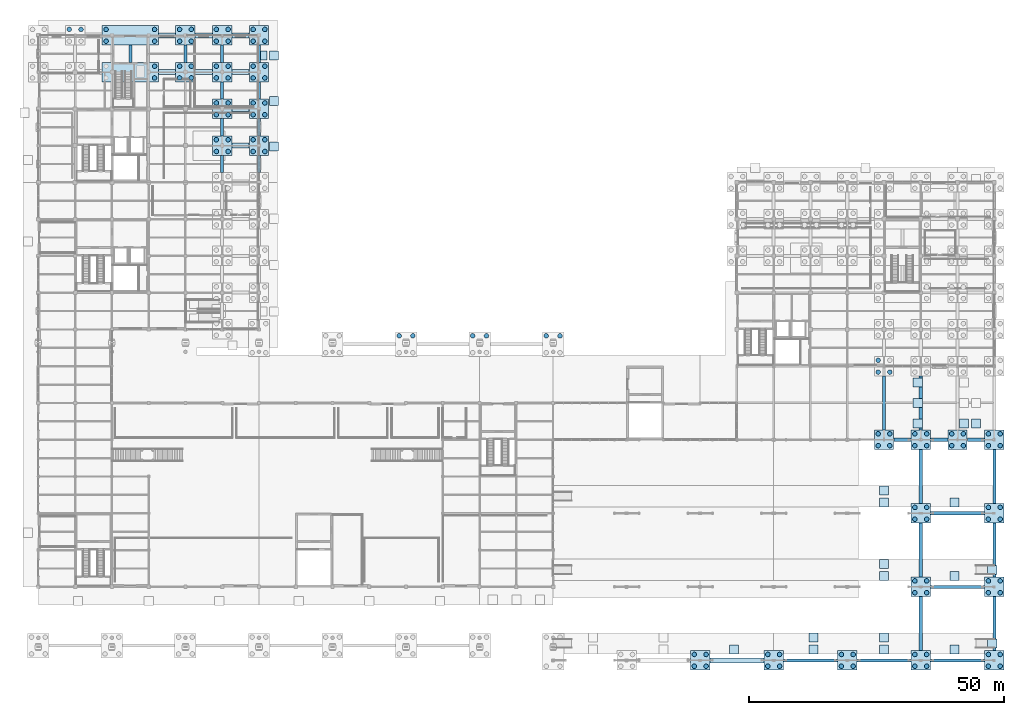
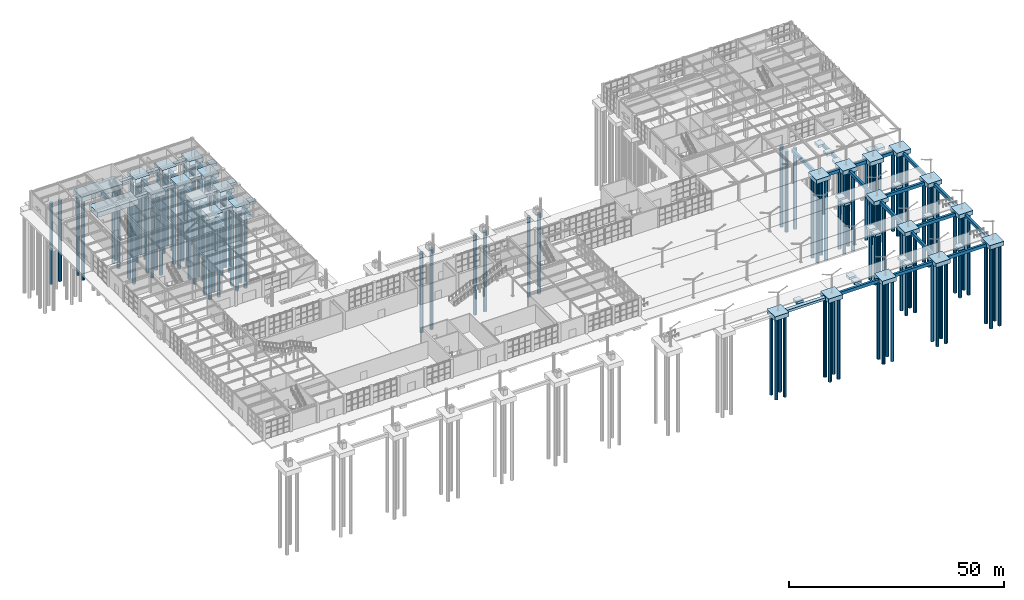
# One storey, part 2 of 75: 109 piles, 83 footings.
"""IFC4 building model written with IfcOpenShell, lengths in metres."""

import ifcopenshell
import ifcopenshell.guid

model = None  # the IFC model being written
_history = None  # IfcOwnerHistory: only IFC2X3 demands one
_inside = {}  # id of a spatial element -> (the spatial element, [elements in it])
_under = {}  # id of a project, library or spatial element -> (it, [spatial elements below it])
_declared = {}  # id of a project -> (the project, [libraries it declares])
_typed = {}  # id of a type object -> (the type object, [elements of that type])
_made_of = {}  # id of a material, layer set ... -> (it, [elements and type objects made of it])


def new_model(schema):
    """Start an empty IFC model of exactly this schema.

    Asked for "IFC4X3", IfcOpenShell would pick the latest addendum, in which some entities
    have other attributes; the version numbers below select the first issue.
    IFC2X3 requires an IfcOwnerHistory on every rooted entity: one is made here for all.
    """
    global model, _history
    if schema == "IFC4X3":
        model = ifcopenshell.file(schema_version=(4, 3, 0, 0))
    else:
        model = ifcopenshell.file(schema=schema)
    _inside.clear()
    _under.clear()
    _declared.clear()
    _typed.clear()
    _made_of.clear()
    _history = None
    if model.schema == "IFC2X3":
        org = make("IfcOrganization", Name="unknown")
        user = make(
            "IfcPersonAndOrganization",
            ThePerson=make("IfcPerson", FamilyName="unknown"),
            TheOrganization=org,
        )
        app = make(
            "IfcApplication",
            ApplicationDeveloper=org,
            Version="unknown",
            ApplicationFullName="unknown",
            ApplicationIdentifier="unknown",
        )
        _history = make(
            "IfcOwnerHistory",
            OwningUser=user,
            OwningApplication=app,
            ChangeAction="ADDED",
            CreationDate=0,
        )
    return model


def make(cls, **values):
    """One entity of the class cls with the attributes given. An attribute that is None is left unset."""
    return model.create_entity(
        cls, **{name: value for name, value in values.items() if value is not None}
    )


def rooted(cls, **values):
    """An entity with a GlobalId (a new one), such as an element, a storey or a relation."""
    return make(cls, GlobalId=ifcopenshell.guid.new(), OwnerHistory=_history, **values)


def si_unit(unit_type, name, prefix=None):
    """IfcSIUnit, for example si_unit("LENGTHUNIT", "METRE", prefix="MILLI")."""
    return make("IfcSIUnit", UnitType=unit_type, Prefix=prefix, Name=name)


def assignment(units):
    """IfcUnitAssignment: the units of a project."""
    return None if units is None else make("IfcUnitAssignment", Units=units)


def point(xyz):
    """IfcCartesianPoint."""
    return None if xyz is None else make("IfcCartesianPoint", Coordinates=xyz)


def direction(xyz):
    """IfcDirection."""
    return None if xyz is None else make("IfcDirection", DirectionRatios=xyz)


def frame(location, z_axis=None, x_axis=None):
    """IfcAxis2Placement3D, a coordinate frame: its origin and axes. An axis left out is left unset."""
    return make(
        "IfcAxis2Placement3D",
        Location=point(location),
        Axis=direction(z_axis),
        RefDirection=direction(x_axis),
    )


def frame_2d(location, x_axis=None):
    """IfcAxis2Placement2D, a coordinate frame in the plane: its origin and x axis."""
    return make(
        "IfcAxis2Placement2D", Location=point(location), RefDirection=direction(x_axis)
    )


def origin():
    """The frame at (0, 0, 0) with its axes left unset."""
    return frame((0.0, 0.0, 0.0))


def origin_2d():
    """The frame at (0, 0) in the plane with its x axis left unset."""
    return frame_2d((0.0, 0.0))


def place(relative_to, where):
    """IfcLocalPlacement: puts the frame where relative to a parent placement (None: the world)."""
    return make(
        "IfcLocalPlacement", PlacementRelTo=relative_to, RelativePlacement=where
    )


def context(
    kind, dimensions, precision=None, world=None, true_north=None, identifier=None
):
    """IfcGeometricRepresentationContext, for example the 3D "Model" context."""
    return make(
        "IfcGeometricRepresentationContext",
        ContextIdentifier=identifier,
        ContextType=kind,
        CoordinateSpaceDimension=dimensions,
        Precision=precision,
        WorldCoordinateSystem=world,
        TrueNorth=true_north,
    )


def subcontext(parent, identifier, kind, view, scale=None):
    """IfcGeometricRepresentationSubContext, for example "Body" below "Model"."""
    return make(
        "IfcGeometricRepresentationSubContext",
        ContextIdentifier=identifier,
        ContextType=kind,
        ParentContext=parent,
        TargetScale=scale,
        TargetView=view,
    )


def project(units=None, contexts=None):
    """IfcProject with its units and contexts."""
    return rooted(
        "IfcProject",
        Name="project",
        RepresentationContexts=contexts,
        UnitsInContext=assignment(units),
    )


def spatial(cls, under=None, at=None, **own):
    """A site, building, storey or space (cls), placed at a placement, below another one or the project."""
    s = rooted(cls, ObjectPlacement=at, **own)
    if under is not None:
        _under.setdefault(under.id(), (under, []))[1].append(s)
    return s


def profile(cls, at=None, kind="AREA", **sizes):
    """A parametric profile (cls). Its sizes go by their IFC names, for example OverallWidth=200.0."""
    return make(cls, ProfileType=kind, Position=at, **sizes)


def rectangle(**sizes):
    """IfcRectangleProfileDef."""
    return profile("IfcRectangleProfileDef", **sizes)


def circle(**sizes):
    """IfcCircleProfileDef."""
    return profile("IfcCircleProfileDef", **sizes)


def extrude(swept, where, along, depth):
    """IfcExtrudedAreaSolid: the profile swept, set in the frame where, extruded along a direction by depth."""
    return make(
        "IfcExtrudedAreaSolid",
        SweptArea=swept,
        Position=where,
        ExtrudedDirection=direction(along),
        Depth=depth,
    )


def shape(context_of_items, identifier, shape_type, items):
    """IfcShapeRepresentation: the items that make up one representation, for example the "Body"."""
    return make(
        "IfcShapeRepresentation",
        ContextOfItems=context_of_items,
        RepresentationIdentifier=identifier,
        RepresentationType=shape_type,
        Items=items,
    )


def material(Name=None, Category=None):
    """IfcMaterial."""
    return make("IfcMaterial", Name=Name, Category=Category)


def material_profile(
    of_material, cross_section, Name=None, Category=None, Priority=None
):
    """IfcMaterialProfile: a cross section and its material."""
    return make(
        "IfcMaterialProfile",
        Name=Name,
        Material=of_material,
        Profile=cross_section,
        Priority=Priority,
        Category=Category,
    )


def profile_set(profiles, Name=None, composite=None):
    """IfcMaterialProfileSet."""
    return make(
        "IfcMaterialProfileSet",
        Name=Name,
        MaterialProfiles=profiles,
        CompositeProfile=composite,
    )


def made_of(thing, what):
    """Note that an element or type object is made of a material, layer set ...; save() writes the relation."""
    if what is not None:
        _made_of.setdefault(what.id(), (what, []))[1].append(thing)
    return thing


def type_object(cls, material=None, **own):
    """A type object (cls), such as IfcWallType, which elements share."""
    return made_of(rooted(cls, **own), material)


def element(
    cls,
    number,
    at=None,
    inside=None,
    cuts=None,
    type_object=None,
    material=None,
    context=None,
    identifier="Body",
    shape_type=None,
    held_by="IfcProductDefinitionShape",
    body=None,
    shapes=None,
    **own,
):
    """One element of the class cls, such as IfcWall. Its Tag is "e" and its number.

    at: its placement. inside: the storey or other place that contains it. cuts: it is an
    opening in that element (IfcRelVoidsElement). A single representation is given by context,
    identifier, shape_type and body (its items); several are given by shapes. held_by: the class
    of the entity that holds the representations. save() writes the other relations.
    """
    e = rooted(cls, Tag="e%d" % number, ObjectPlacement=at, **own)
    if body is not None:
        shapes = [shape(context, identifier, shape_type, body)]
    if shapes is not None:
        e.Representation = make(held_by, Representations=shapes)
    if inside is not None:
        _inside.setdefault(inside.id(), (inside, []))[1].append(e)
    if cuts is not None:
        rooted(
            "IfcRelVoidsElement", RelatingBuildingElement=cuts, RelatedOpeningElement=e
        )
    if type_object is not None:
        _typed.setdefault(type_object.id(), (type_object, []))[1].append(e)
    return made_of(e, material)


def aggregate(whole, parts):
    """IfcRelAggregates: a whole, such as a stair, and the parts it consists of."""
    return rooted("IfcRelAggregates", RelatingObject=whole, RelatedObjects=parts)


def save(model, path):
    """Write the relations noted so far, then the file.

    IfcRelAggregates (storeys below a building ...), IfcRelContainedInSpatialStructure (elements
    in a storey), IfcRelDefinesByType, IfcRelAssociatesMaterial and IfcRelDeclares: one each for
    every whole, place, type object, material and project.
    """
    for whole, parts in _under.values():
        aggregate(whole, parts)
    for where, things in _inside.values():
        rooted(
            "IfcRelContainedInSpatialStructure",
            RelatedElements=things,
            RelatingStructure=where,
        )
    for kind, things in _typed.values():
        rooted("IfcRelDefinesByType", RelatedObjects=things, RelatingType=kind)
    for what, things in _made_of.values():
        rooted("IfcRelAssociatesMaterial", RelatedObjects=things, RelatingMaterial=what)
    for by, libraries in _declared.values():
        rooted("IfcRelDeclares", RelatingContext=by, RelatedDefinitions=libraries)
    model.write(path)


model = new_model("IFC4")

# Units and contexts
model_context = context("Model", 3, precision=1e-05, world=origin(), true_north=direction((0.0, 1.0)))
body_context = subcontext(model_context, "Body", "Model", "MODEL_VIEW")
ifc_project = project(units=[si_unit("LENGTHUNIT", "METRE"), si_unit("AREAUNIT", "SQUARE_METRE"), si_unit("VOLUMEUNIT", "CUBIC_METRE"), si_unit("PLANEANGLEUNIT", "RADIAN"), si_unit("MASSUNIT", "GRAM", prefix="KILO")], contexts=[model_context])

# Site, building, storey
site_placement = place(None, origin())
site = spatial("IfcSite", under=ifc_project, at=site_placement, CompositionType="ELEMENT")
building_placement = place(site_placement, origin())
building = spatial("IfcBuilding", under=site, at=building_placement, Name="Leyfeld Transit Interchange", CompositionType="ELEMENT")
storey_placement = place(building_placement, origin())
storey = spatial("IfcBuildingStorey", under=building, at=storey_placement, Name="L00", CompositionType="ELEMENT", Elevation=0.0)

# Footings
ifc_material = material(Name="Concrete C35/45", Category="concrete")
footing_type_1 = type_object("IfcFootingType", Name="FT-GB-500x800", PredefinedType="FOOTING_BEAM", material=ifc_material)
footing_1_placement = place(storey_placement, frame((151.199951171875, 0.0, -1.300048828125), z_axis=(0.0, 0.0, 1.0), x_axis=(1.0, 0.0, 0.0)))
element("IfcFooting", 1, at=footing_1_placement, inside=storey, type_object=footing_type_1, Name="Ground Beam 053", PredefinedType="FOOTING_BEAM", context=body_context, shape_type="SweptSolid", body=[
    extrude(rectangle(XDim=10.580078125, YDim=0.60009765625, at=origin_2d()), origin(), (0.0, 0.0, 1.0), 0.89990234375),
])
footing_2_placement = place(storey_placement, frame((169.199951171875, 43.199951171875, -1.300048828125), z_axis=(0.0, 0.0, 1.0), x_axis=(1.0, 0.0, 0.0)))
element("IfcFooting", 2, at=footing_2_placement, inside=storey, type_object=footing_type_1, Name="Ground Beam 071", PredefinedType="FOOTING_BEAM", context=body_context, shape_type="SweptSolid", body=[
    extrude(rectangle(XDim=3.3798828125, YDim=0.60009765625, at=origin_2d()), origin(), (0.0, 0.0, 1.0), 0.89990234375),
])
footing_type_2 = type_object("IfcFootingType", Name="FT-GB-600x900", PredefinedType="FOOTING_BEAM", material=ifc_material)
for number, where, z_axis, x_axis, name in (
    (3, (18.0, 118.800048828125, -1.300048828125), (0.0, 0.0, 1.0), (1.0, 0.0, 0.0), "Ground Beam 009"),
    (4, (28.800048828125, 118.800048828125, -1.300048828125), (0.0, 0.0, 1.0), (1.0, 0.0, 0.0), "Ground Beam 013"),
    (5, (36.0, 97.199951171875, -1.300048828125), (0.0, 0.0, 1.0), (1.0, 0.0, 0.0), "Ground Beam 023"),
    (6, (36.0, 104.39990234375, -1.300048828125), (0.0, 0.0, 1.0), (1.0, 0.0, 0.0), "Ground Beam 025"),
    (7, (36.0, 111.60009765625, -1.300048828125), (0.0, 0.0, 1.0), (1.0, 0.0, 0.0), "Ground Beam 027"),
    (8, (36.0, 118.800048828125, -1.300048828125), (0.0, 0.0, 1.0), (1.0, 0.0, 0.0), "Ground Beam 029"),
    (9, (43.199951171875, 97.199951171875, -1.300048828125), (0.0, 0.0, 1.0), (1.0, 0.0, 0.0), "Ground Beam 037"),
    (10, (43.199951171875, 104.39990234375, -1.300048828125), (0.0, 0.0, 1.0), (1.0, 0.0, 0.0), "Ground Beam 038"),
    (11, (43.199951171875, 111.60009765625, -1.300048828125), (0.0, 0.0, 1.0), (1.0, 0.0, 0.0), "Ground Beam 039"),
    (12, (43.199951171875, 118.800048828125, -1.300048828125), (0.0, 0.0, 1.0), (1.0, 0.0, 0.0), "Ground Beam 040"),
):
    element("IfcFooting", number, at=place(storey_placement, frame(where, z_axis=z_axis, x_axis=x_axis)), inside=storey, type_object=footing_type_2, Name=name, PredefinedType="FOOTING_BEAM", context=body_context, shape_type="SweptSolid", body=[
        extrude(rectangle(XDim=0.60009765625, YDim=3.3798828125, at=origin_2d()), origin(), (0.0, 0.0, 1.0), 0.89990234375),
    ])
footing_3_placement = place(storey_placement, frame((165.60009765625, 0.0, -1.300048828125), z_axis=(0.0, 0.0, 1.0), x_axis=(1.0, 0.0, 0.0)))
element("IfcFooting", 13, at=footing_3_placement, inside=storey, type_object=footing_type_2, Name="Ground Beam 064", PredefinedType="FOOTING_BEAM", context=body_context, shape_type="SweptSolid", body=[
    extrude(rectangle(XDim=10.580078125, YDim=0.60009765625, at=origin_2d()), origin(), (0.0, 0.0, 1.0), 0.89990234375),
])
for number, where, z_axis, x_axis, name in (
    (14, (165.60009765625, 50.39990234375, -1.300048828125), (0.0, 0.0, 1.0), (1.0, 0.0, 0.0), "Ground Beam 070"),
    (15, (172.800048828125, 7.199951171875, -1.300048828125), (0.0, 0.0, 1.0), (1.0, 0.0, 0.0), "Ground Beam 081"),
):
    element("IfcFooting", number, at=place(storey_placement, frame(where, z_axis=z_axis, x_axis=x_axis)), inside=storey, type_object=footing_type_2, Name=name, PredefinedType="FOOTING_BEAM", context=body_context, shape_type="SweptSolid", body=[
        extrude(rectangle(XDim=0.60009765625, YDim=10.580078125, at=origin_2d()), origin(), (0.0, 0.0, 1.0), 0.89990234375),
    ])
footing_4_placement = place(storey_placement, frame((180.0, 0.0, -1.300048828125), z_axis=(0.0, 0.0, 1.0), x_axis=(1.0, 0.0, 0.0)))
element("IfcFooting", 16, at=footing_4_placement, inside=storey, type_object=footing_type_2, Name="Ground Beam 082", PredefinedType="FOOTING_BEAM", context=body_context, shape_type="SweptSolid", body=[
    extrude(rectangle(XDim=10.580078125, YDim=0.60009765625, at=origin_2d()), origin(), (0.0, 0.0, 1.0), 0.89990234375),
])
footing_5_placement = place(storey_placement, frame((172.800048828125, 21.60009765625, -1.300048828125), z_axis=(0.0, 0.0, 1.0), x_axis=(1.0, 0.0, 0.0)))
element("IfcFooting", 17, at=footing_5_placement, inside=storey, type_object=footing_type_2, Name="Ground Beam 083", PredefinedType="FOOTING_BEAM", context=body_context, shape_type="SweptSolid", body=[
    extrude(rectangle(XDim=0.60009765625, YDim=10.580078125, at=origin_2d()), origin(), (0.0, 0.0, 1.0), 0.89990234375),
])
footing_6_placement = place(storey_placement, frame((180.0, 14.39990234375, -1.300048828125), z_axis=(0.0, 0.0, 1.0), x_axis=(1.0, 0.0, 0.0)))
element("IfcFooting", 18, at=footing_6_placement, inside=storey, type_object=footing_type_2, Name="Ground Beam 084", PredefinedType="FOOTING_BEAM", context=body_context, shape_type="SweptSolid", body=[
    extrude(rectangle(XDim=10.580078125, YDim=0.60009765625, at=origin_2d()), origin(), (0.0, 0.0, 1.0), 0.89990234375),
])
footing_7_placement = place(storey_placement, frame((172.800048828125, 36.0, -1.300048828125), z_axis=(0.0, 0.0, 1.0), x_axis=(1.0, 0.0, 0.0)))
element("IfcFooting", 19, at=footing_7_placement, inside=storey, type_object=footing_type_2, Name="Ground Beam 085", PredefinedType="FOOTING_BEAM", context=body_context, shape_type="SweptSolid", body=[
    extrude(rectangle(XDim=0.60009765625, YDim=10.580078125, at=origin_2d()), origin(), (0.0, 0.0, 1.0), 0.89990234375),
])
footing_8_placement = place(storey_placement, frame((180.0, 28.800048828125, -1.300048828125), z_axis=(0.0, 0.0, 1.0), x_axis=(1.0, 0.0, 0.0)))
element("IfcFooting", 20, at=footing_8_placement, inside=storey, type_object=footing_type_2, Name="Ground Beam 086", PredefinedType="FOOTING_BEAM", context=body_context, shape_type="SweptSolid", body=[
    extrude(rectangle(XDim=10.580078125, YDim=0.60009765625, at=origin_2d()), origin(), (0.0, 0.0, 1.0), 0.89990234375),
])
footing_9_placement = place(storey_placement, frame((172.800048828125, 50.39990234375, -1.300048828125), z_axis=(0.0, 0.0, 1.0), x_axis=(1.0, 0.0, 0.0)))
element("IfcFooting", 21, at=footing_9_placement, inside=storey, type_object=footing_type_2, Name="Ground Beam 087", PredefinedType="FOOTING_BEAM", context=body_context, shape_type="SweptSolid", body=[
    extrude(rectangle(XDim=0.60009765625, YDim=10.580078125, at=origin_2d()), origin(), (0.0, 0.0, 1.0), 0.89990234375),
])
for number, where, z_axis, x_axis, name in (
    (22, (176.39990234375, 43.199951171875, -1.300048828125), (0.0, 0.0, 1.0), (1.0, 0.0, 0.0), "Ground Beam 088"),
    (23, (183.60009765625, 43.199951171875, -1.300048828125), (0.0, 0.0, 1.0), (1.0, 0.0, 0.0), "Ground Beam 094"),
):
    element("IfcFooting", number, at=place(storey_placement, frame(where, z_axis=z_axis, x_axis=x_axis)), inside=storey, type_object=footing_type_2, Name=name, PredefinedType="FOOTING_BEAM", context=body_context, shape_type="SweptSolid", body=[
        extrude(rectangle(XDim=3.3798828125, YDim=0.60009765625, at=origin_2d()), origin(), (0.0, 0.0, 1.0), 0.89990234375),
    ])
for number, where, z_axis, x_axis, name in (
    (24, (187.199951171875, 7.199951171875, -1.300048828125), (0.0, 0.0, 1.0), (1.0, 0.0, 0.0), "Ground Beam 106"),
    (25, (187.199951171875, 21.60009765625, -1.300048828125), (0.0, 0.0, 1.0), (1.0, 0.0, 0.0), "Ground Beam 107"),
    (26, (187.199951171875, 36.0, -1.300048828125), (0.0, 0.0, 1.0), (1.0, 0.0, 0.0), "Ground Beam 108"),
):
    element("IfcFooting", number, at=place(storey_placement, frame(where, z_axis=z_axis, x_axis=x_axis)), inside=storey, type_object=footing_type_2, Name=name, PredefinedType="FOOTING_BEAM", context=body_context, shape_type="SweptSolid", body=[
        extrude(rectangle(XDim=0.60009765625, YDim=10.580078125, at=origin_2d()), origin(), (0.0, 0.0, 1.0), 0.89990234375),
    ])
footing_type_3 = type_object("IfcFootingType", Name="FT-PAD-1800", PredefinedType="PAD_FOOTING", material=ifc_material)
for number, where, z_axis, x_axis, name in (
    (27, (136.237060546875, 2.1240234375, -1.0), (0.0, 0.0, 1.0), (1.0, 0.0, 0.0), "Slab Support Pad Footing 005"),
    (28, (151.77587890625, 2.1240234375, -1.0), (0.0, 0.0, 1.0), (1.0, 0.0, 0.0), "Slab Support Pad Footing 006"),
    (29, (151.77587890625, 4.47607421875, -1.0), (0.0, 0.0, 1.0), (1.0, 0.0, 0.0), "Slab Support Pad Footing 007"),
    (30, (165.60009765625, 2.1240234375, -1.0), (0.0, 0.0, 1.0), (1.0, 0.0, 0.0), "Slab Support Pad Footing 008"),
    (31, (165.60009765625, 4.47607421875, -1.0), (0.0, 0.0, 1.0), (1.0, 0.0, 0.0), "Slab Support Pad Footing 009"),
    (32, (179.424072265625, 2.1240234375, -1.0), (0.0, 0.0, 1.0), (1.0, 0.0, 0.0), "Slab Support Pad Footing 010"),
    (33, (165.60009765625, 16.52392578125, -1.0), (0.0, 0.0, 1.0), (1.0, 0.0, 0.0), "Slab Support Pad Footing 011"),
    (34, (165.60009765625, 18.8759765625, -1.0), (0.0, 0.0, 1.0), (1.0, 0.0, 0.0), "Slab Support Pad Footing 012"),
    (35, (179.424072265625, 16.52392578125, -1.0), (0.0, 0.0, 1.0), (1.0, 0.0, 0.0), "Slab Support Pad Footing 013"),
    (36, (165.60009765625, 30.924072265625, -1.0), (0.0, 0.0, 1.0), (1.0, 0.0, 0.0), "Slab Support Pad Footing 014"),
    (37, (165.60009765625, 33.27587890625, -1.0), (0.0, 0.0, 1.0), (1.0, 0.0, 0.0), "Slab Support Pad Footing 015"),
    (38, (179.424072265625, 30.924072265625, -1.0), (0.0, 0.0, 1.0), (1.0, 0.0, 0.0), "Slab Support Pad Footing 016"),
    (39, (172.22412109375, 46.367919921875, -1.0), (0.0, 0.0, 1.0), (1.0, 0.0, 0.0), "Slab Support Pad Footing 017"),
    (40, (172.22412109375, 50.39990234375, -1.0), (0.0, 0.0, 1.0), (1.0, 0.0, 0.0), "Slab Support Pad Footing 018"),
    (41, (172.22412109375, 54.431884765625, -1.0), (0.0, 0.0, 1.0), (1.0, 0.0, 0.0), "Slab Support Pad Footing 019"),
    (42, (181.2958984375, 46.367919921875, -1.0), (0.0, 0.0, 1.0), (1.0, 0.0, 0.0), "Slab Support Pad Footing 020"),
    (43, (183.60009765625, 46.367919921875, -1.0), (0.0, 0.0, 1.0), (1.0, 0.0, 0.0), "Slab Support Pad Footing 023"),
    (44, (43.847900390625, 118.4189453125, -1.14990234375), (0.0, 0.0, 1.0), (1.0, 0.0, 0.0), "Slab Support Pad Footing 039"),
    (45, (46.152099609375, 100.65087890625, -1.14990234375), (0.0, 0.0, 1.0), (1.0, 0.0, 0.0), "Slab Support Pad Footing 040"),
    (46, (46.152099609375, 109.534912109375, -1.14990234375), (0.0, 0.0, 1.0), (1.0, 0.0, 0.0), "Slab Support Pad Footing 041"),
    (47, (46.152099609375, 118.4189453125, -1.14990234375), (0.0, 0.0, 1.0), (1.0, 0.0, 0.0), "Slab Support Pad Footing 042"),
    (48, (186.800048828125, 3.300048828125, -1.22021484375), (0.0, 0.0, 1.0), (1.0, 0.0, 0.0), "Accessible Ramp ISL1E Toe Footing"),
    (49, (186.800048828125, 17.699951171875, -1.22021484375), (0.0, 0.0, 1.0), (1.0, 0.0, 0.0), "Accessible Ramp ISL2E Toe Footing"),
):
    element("IfcFooting", number, at=place(storey_placement, frame(where, z_axis=z_axis, x_axis=x_axis)), inside=storey, type_object=footing_type_3, Name=name, PredefinedType="PAD_FOOTING", context=body_context, shape_type="SweptSolid", body=[
        extrude(rectangle(XDim=1.800048828125, YDim=1.800048828125, at=origin_2d()), origin(), (0.0, 0.0, 1.0), 0.699951171875),
    ])
footing_type_4 = type_object("IfcFootingType", Name="FT-PC-11000x3800", PredefinedType="PILE_CAP", material=ifc_material)
for number, where, z_axis, x_axis, name in (
    (50, (18.0, 115.199951171875, -1.39990234375), (0.0, 0.0, 1.0), (1.0, 0.0, 0.0), "Foundation FTG-L00-007"),
    (51, (18.0, 122.39990234375, -1.39990234375), (0.0, 0.0, 1.0), (1.0, 0.0, 0.0), "Foundation FTG-L00-008"),
):
    element("IfcFooting", number, at=place(storey_placement, frame(where, z_axis=z_axis, x_axis=x_axis)), inside=storey, type_object=footing_type_4, Name=name, PredefinedType="PILE_CAP", context=body_context, shape_type="SweptSolid", body=[
        extrude(rectangle(XDim=11.0, YDim=3.800048828125, at=origin_2d()), origin(), (0.0, 0.0, 1.0), 1.39990234375),
    ])
footing_type_5 = type_object("IfcFootingType", Name="FT-PC-3800x3800", PredefinedType="PILE_CAP", material=ifc_material)
for number, where, z_axis, x_axis, name in (
    (52, (28.800048828125, 115.199951171875, -1.2001953125), (0.0, 0.0, 1.0), (1.0, 0.0, 0.0), "Foundation FTG-L00-010"),
    (53, (28.800048828125, 122.39990234375, -1.2001953125), (0.0, 0.0, 1.0), (1.0, 0.0, 0.0), "Foundation FTG-L00-011"),
    (54, (36.0, 100.800048828125, -1.2001953125), (0.0, 0.0, 1.0), (1.0, 0.0, 0.0), "Foundation FTG-L00-017"),
    (55, (36.0, 108.0, -1.2001953125), (0.0, 0.0, 1.0), (1.0, 0.0, 0.0), "Foundation FTG-L00-018"),
    (56, (36.0, 115.199951171875, -1.2001953125), (0.0, 0.0, 1.0), (1.0, 0.0, 0.0), "Foundation FTG-L00-019"),
    (57, (36.0, 122.39990234375, -1.2001953125), (0.0, 0.0, 1.0), (1.0, 0.0, 0.0), "Foundation FTG-L00-020"),
    (58, (43.199951171875, 100.800048828125, -1.2001953125), (0.0, 0.0, 1.0), (1.0, 0.0, 0.0), "Foundation FTG-L00-027"),
    (59, (43.199951171875, 108.0, -1.2001953125), (0.0, 0.0, 1.0), (1.0, 0.0, 0.0), "Foundation FTG-L00-028"),
    (60, (43.199951171875, 115.199951171875, -1.2001953125), (0.0, 0.0, 1.0), (1.0, 0.0, 0.0), "Foundation FTG-L00-029"),
    (61, (43.199951171875, 122.39990234375, -1.2001953125), (0.0, 0.0, 1.0), (1.0, 0.0, 0.0), "Foundation FTG-L00-030"),
    (62, (129.60009765625, 0.0, -1.2001953125), (0.0, 0.0, 1.0), (1.0, 0.0, 0.0), "Foundation FTG-L00-040"),
    (63, (144.0, 0.0, -1.2001953125), (0.0, 0.0, 1.0), (1.0, 0.0, 0.0), "Foundation FTG-L00-044"),
    (64, (158.39990234375, 0.0, -1.2001953125), (0.0, 0.0, 1.0), (1.0, 0.0, 0.0), "Foundation FTG-L00-051"),
    (65, (165.60009765625, 43.199951171875, -1.2001953125), (0.0, 0.0, 1.0), (1.0, 0.0, 0.0), "Foundation FTG-L00-055"),
    (66, (172.800048828125, 0.0, -1.2001953125), (0.0, 0.0, 1.0), (1.0, 0.0, 0.0), "Foundation FTG-L00-062"),
    (67, (172.800048828125, 14.39990234375, -1.2001953125), (0.0, 0.0, 1.0), (1.0, 0.0, 0.0), "Foundation FTG-L00-063"),
    (68, (172.800048828125, 28.800048828125, -1.2001953125), (0.0, 0.0, 1.0), (1.0, 0.0, 0.0), "Foundation FTG-L00-064"),
    (69, (172.800048828125, 43.199951171875, -1.2001953125), (0.0, 0.0, 1.0), (1.0, 0.0, 0.0), "Foundation FTG-L00-065"),
    (70, (180.0, 43.199951171875, -1.2001953125), (0.0, 0.0, 1.0), (1.0, 0.0, 0.0), "Foundation FTG-L00-069"),
    (71, (187.199951171875, 0.0, -1.2001953125), (0.0, 0.0, 1.0), (1.0, 0.0, 0.0), "Foundation FTG-L00-076"),
    (72, (187.199951171875, 14.39990234375, -1.2001953125), (0.0, 0.0, 1.0), (1.0, 0.0, 0.0), "Foundation FTG-L00-077"),
    (73, (187.199951171875, 28.800048828125, -1.2001953125), (0.0, 0.0, 1.0), (1.0, 0.0, 0.0), "Foundation FTG-L00-078"),
    (74, (187.199951171875, 43.199951171875, -1.2001953125), (0.0, 0.0, 1.0), (1.0, 0.0, 0.0), "Foundation FTG-L00-079"),
):
    element("IfcFooting", number, at=place(storey_placement, frame(where, z_axis=z_axis, x_axis=x_axis)), inside=storey, type_object=footing_type_5, Name=name, PredefinedType="PILE_CAP", context=body_context, shape_type="SweptSolid", body=[
        extrude(rectangle(XDim=3.800048828125, YDim=3.800048828125, at=origin_2d()), origin(), (0.0, 0.0, 1.0), 1.199951171875),
    ])
footing_type_6 = type_object("IfcFootingType", Name="FT-SF-1000x650", PredefinedType="STRIP_FOOTING", material=ifc_material)
for number, where, z_axis, x_axis, name in (
    (75, (25.199951171875, 115.199951171875, -1.10009765625), (0.0, 0.0, 1.0), (1.0, 0.0, 0.0), "Strip Footing 005"),
    (76, (32.39990234375, 115.199951171875, -1.10009765625), (0.0, 0.0, 1.0), (1.0, 0.0, 0.0), "Strip Footing 007"),
    (77, (39.60009765625, 108.0, -1.10009765625), (0.0, 0.0, 1.0), (1.0, 0.0, 0.0), "Strip Footing 011"),
    (78, (39.60009765625, 122.39990234375, -1.10009765625), (0.0, 0.0, 1.0), (1.0, 0.0, 0.0), "Strip Footing 013"),
):
    element("IfcFooting", number, at=place(storey_placement, frame(where, z_axis=z_axis, x_axis=x_axis)), inside=storey, type_object=footing_type_6, Name=name, PredefinedType="STRIP_FOOTING", context=body_context, shape_type="SweptSolid", body=[
        extrude(rectangle(XDim=3.3798828125, YDim=1.0, at=origin_2d()), origin(), (0.0, 0.0, 1.0), 0.699951171875),
    ])
footing_10_placement = place(storey_placement, frame((136.800048828125, 0.0, -1.10009765625), z_axis=(0.0, 0.0, 1.0), x_axis=(1.0, 0.0, 0.0)))
element("IfcFooting", 79, at=footing_10_placement, inside=storey, type_object=footing_type_6, Name="Strip Footing 015", PredefinedType="STRIP_FOOTING", context=body_context, shape_type="SweptSolid", body=[
    extrude(rectangle(XDim=10.580078125, YDim=1.0, at=origin_2d()), origin(), (0.0, 0.0, 1.0), 0.699951171875),
])
footing_type_7 = type_object("IfcFootingType", Name="FT-SF-1200x700", PredefinedType="STRIP_FOOTING", material=ifc_material)
for number, where, z_axis, x_axis, name in (
    (80, (25.199951171875, 122.39990234375, -1.10009765625), (0.0, 0.0, 1.0), (1.0, 0.0, 0.0), "Strip Footing 006"),
    (81, (32.39990234375, 122.39990234375, -1.10009765625), (0.0, 0.0, 1.0), (1.0, 0.0, 0.0), "Strip Footing 008"),
    (82, (39.60009765625, 100.800048828125, -1.10009765625), (0.0, 0.0, 1.0), (1.0, 0.0, 0.0), "Strip Footing 010"),
    (83, (39.60009765625, 115.199951171875, -1.10009765625), (0.0, 0.0, 1.0), (1.0, 0.0, 0.0), "Strip Footing 012"),
):
    element("IfcFooting", number, at=place(storey_placement, frame(where, z_axis=z_axis, x_axis=x_axis)), inside=storey, type_object=footing_type_7, Name=name, PredefinedType="STRIP_FOOTING", context=body_context, shape_type="SweptSolid", body=[
        extrude(rectangle(XDim=3.3798828125, YDim=1.0, at=origin_2d()), origin(), (0.0, 0.0, 1.0), 0.699951171875),
    ])

# Piles
ifc_material_profile = material_profile(ifc_material, circle(Radius=0.449951171875, at=origin_2d()), Name="PILE D900")
ifc_profile_set = profile_set([ifc_material_profile], Name="Concrete C35/45")
pile_type = type_object("IfcPileType", Name="PILE-PL-900", PredefinedType="BORED", material=ifc_profile_set)
for number, where, z_axis, x_axis, name in (
    (84, (6.050048828125, 123.550048828125, -1.050048828125), (0.0, 0.0, -1.0), (1.0, 0.0, 0.0), "Cap Bored Pile 0184"),
    (85, (8.35009765625, 123.550048828125, -1.050048828125), (0.0, 0.0, -1.0), (1.0, 0.0, 0.0), "Cap Bored Pile 0186"),
):
    element("IfcPile", number, at=place(storey_placement, frame(where, z_axis=z_axis, x_axis=x_axis)), inside=storey, type_object=pile_type, Name=name, PredefinedType="BORED", context=body_context, shape_type="SweptSolid", body=[
        extrude(circle(Radius=0.449951171875, at=origin_2d()), origin(), (0.0, 0.0, 1.0), 22.949951171875),
    ])
for number, where, z_axis, x_axis, name in (
    (86, (22.75, 114.050048828125, -1.25), (0.0, 0.0, -1.0), (1.0, 0.0, 0.0), "Cap Bored Pile 0193"),
    (87, (22.75, 116.35009765625, -1.25), (0.0, 0.0, -1.0), (1.0, 0.0, 0.0), "Cap Bored Pile 0194"),
    (88, (13.25, 121.25, -1.25), (0.0, 0.0, -1.0), (1.0, 0.0, 0.0), "Cap Bored Pile 0195"),
    (89, (13.25, 123.550048828125, -1.25), (0.0, 0.0, -1.0), (1.0, 0.0, 0.0), "Cap Bored Pile 0196"),
    (90, (22.75, 121.25, -1.25), (0.0, 0.0, -1.0), (1.0, 0.0, 0.0), "Cap Bored Pile 0197"),
    (91, (22.75, 123.550048828125, -1.25), (0.0, 0.0, -1.0), (1.0, 0.0, 0.0), "Cap Bored Pile 0198"),
):
    element("IfcPile", number, at=place(storey_placement, frame(where, z_axis=z_axis, x_axis=x_axis)), inside=storey, type_object=pile_type, Name=name, PredefinedType="BORED", context=body_context, shape_type="SweptSolid", body=[
        extrude(circle(Radius=0.449951171875, at=origin_2d()), origin(), (0.0, 0.0, 1.0), 22.75),
    ])
for number, where, z_axis, x_axis, name in (
    (92, (27.64990234375, 114.050048828125, -1.050048828125), (0.0, 0.0, -1.0), (1.0, 0.0, 0.0), "Cap Bored Pile 0203"),
    (93, (27.64990234375, 116.35009765625, -1.050048828125), (0.0, 0.0, -1.0), (1.0, 0.0, 0.0), "Cap Bored Pile 0204"),
    (94, (29.949951171875, 114.050048828125, -1.050048828125), (0.0, 0.0, -1.0), (1.0, 0.0, 0.0), "Cap Bored Pile 0205"),
    (95, (29.949951171875, 116.35009765625, -1.050048828125), (0.0, 0.0, -1.0), (1.0, 0.0, 0.0), "Cap Bored Pile 0206"),
    (96, (27.64990234375, 121.25, -1.050048828125), (0.0, 0.0, -1.0), (1.0, 0.0, 0.0), "Cap Bored Pile 0207"),
    (97, (27.64990234375, 123.550048828125, -1.050048828125), (0.0, 0.0, -1.0), (1.0, 0.0, 0.0), "Cap Bored Pile 0208"),
    (98, (29.949951171875, 121.25, -1.050048828125), (0.0, 0.0, -1.0), (1.0, 0.0, 0.0), "Cap Bored Pile 0209"),
    (99, (29.949951171875, 123.550048828125, -1.050048828125), (0.0, 0.0, -1.0), (1.0, 0.0, 0.0), "Cap Bored Pile 0210"),
    (100, (34.85009765625, 99.64990234375, -1.050048828125), (0.0, 0.0, -1.0), (1.0, 0.0, 0.0), "Cap Bored Pile 0231"),
    (101, (34.85009765625, 101.949951171875, -1.050048828125), (0.0, 0.0, -1.0), (1.0, 0.0, 0.0), "Cap Bored Pile 0232"),
    (102, (37.14990234375, 99.64990234375, -1.050048828125), (0.0, 0.0, -1.0), (1.0, 0.0, 0.0), "Cap Bored Pile 0233"),
    (103, (37.14990234375, 101.949951171875, -1.050048828125), (0.0, 0.0, -1.0), (1.0, 0.0, 0.0), "Cap Bored Pile 0234"),
    (104, (34.85009765625, 106.85009765625, -1.050048828125), (0.0, 0.0, -1.0), (1.0, 0.0, 0.0), "Cap Bored Pile 0235"),
    (105, (34.85009765625, 109.14990234375, -1.050048828125), (0.0, 0.0, -1.0), (1.0, 0.0, 0.0), "Cap Bored Pile 0236"),
    (106, (37.14990234375, 106.85009765625, -1.050048828125), (0.0, 0.0, -1.0), (1.0, 0.0, 0.0), "Cap Bored Pile 0237"),
    (107, (37.14990234375, 109.14990234375, -1.050048828125), (0.0, 0.0, -1.0), (1.0, 0.0, 0.0), "Cap Bored Pile 0238"),
    (108, (34.85009765625, 114.050048828125, -1.050048828125), (0.0, 0.0, -1.0), (1.0, 0.0, 0.0), "Cap Bored Pile 0239"),
    (109, (34.85009765625, 116.35009765625, -1.050048828125), (0.0, 0.0, -1.0), (1.0, 0.0, 0.0), "Cap Bored Pile 0240"),
    (110, (37.14990234375, 114.050048828125, -1.050048828125), (0.0, 0.0, -1.0), (1.0, 0.0, 0.0), "Cap Bored Pile 0241"),
    (111, (37.14990234375, 116.35009765625, -1.050048828125), (0.0, 0.0, -1.0), (1.0, 0.0, 0.0), "Cap Bored Pile 0242"),
    (112, (34.85009765625, 121.25, -1.050048828125), (0.0, 0.0, -1.0), (1.0, 0.0, 0.0), "Cap Bored Pile 0243"),
    (113, (34.85009765625, 123.550048828125, -1.050048828125), (0.0, 0.0, -1.0), (1.0, 0.0, 0.0), "Cap Bored Pile 0244"),
    (114, (37.14990234375, 121.25, -1.050048828125), (0.0, 0.0, -1.0), (1.0, 0.0, 0.0), "Cap Bored Pile 0245"),
    (115, (37.14990234375, 123.550048828125, -1.050048828125), (0.0, 0.0, -1.0), (1.0, 0.0, 0.0), "Cap Bored Pile 0246"),
    (116, (42.050048828125, 99.64990234375, -1.050048828125), (0.0, 0.0, -1.0), (1.0, 0.0, 0.0), "Cap Bored Pile 0271"),
    (117, (42.050048828125, 101.949951171875, -1.050048828125), (0.0, 0.0, -1.0), (1.0, 0.0, 0.0), "Cap Bored Pile 0272"),
    (118, (44.35009765625, 99.64990234375, -1.050048828125), (0.0, 0.0, -1.0), (1.0, 0.0, 0.0), "Cap Bored Pile 0273"),
    (119, (44.35009765625, 101.949951171875, -1.050048828125), (0.0, 0.0, -1.0), (1.0, 0.0, 0.0), "Cap Bored Pile 0274"),
    (120, (42.050048828125, 106.85009765625, -1.050048828125), (0.0, 0.0, -1.0), (1.0, 0.0, 0.0), "Cap Bored Pile 0275"),
    (121, (42.050048828125, 109.14990234375, -1.050048828125), (0.0, 0.0, -1.0), (1.0, 0.0, 0.0), "Cap Bored Pile 0276"),
    (122, (44.35009765625, 106.85009765625, -1.050048828125), (0.0, 0.0, -1.0), (1.0, 0.0, 0.0), "Cap Bored Pile 0277"),
    (123, (44.35009765625, 109.14990234375, -1.050048828125), (0.0, 0.0, -1.0), (1.0, 0.0, 0.0), "Cap Bored Pile 0278"),
    (124, (42.050048828125, 114.050048828125, -1.050048828125), (0.0, 0.0, -1.0), (1.0, 0.0, 0.0), "Cap Bored Pile 0279"),
    (125, (42.050048828125, 116.35009765625, -1.050048828125), (0.0, 0.0, -1.0), (1.0, 0.0, 0.0), "Cap Bored Pile 0280"),
    (126, (44.35009765625, 114.050048828125, -1.050048828125), (0.0, 0.0, -1.0), (1.0, 0.0, 0.0), "Cap Bored Pile 0281"),
    (127, (44.35009765625, 116.35009765625, -1.050048828125), (0.0, 0.0, -1.0), (1.0, 0.0, 0.0), "Cap Bored Pile 0282"),
    (128, (42.050048828125, 121.25, -1.050048828125), (0.0, 0.0, -1.0), (1.0, 0.0, 0.0), "Cap Bored Pile 0283"),
    (129, (42.050048828125, 123.550048828125, -1.050048828125), (0.0, 0.0, -1.0), (1.0, 0.0, 0.0), "Cap Bored Pile 0284"),
    (130, (44.35009765625, 121.25, -1.050048828125), (0.0, 0.0, -1.0), (1.0, 0.0, 0.0), "Cap Bored Pile 0285"),
    (131, (44.35009765625, 123.550048828125, -1.050048828125), (0.0, 0.0, -1.0), (1.0, 0.0, 0.0), "Cap Bored Pile 0286"),
):
    element("IfcPile", number, at=place(storey_placement, frame(where, z_axis=z_axis, x_axis=x_axis)), inside=storey, type_object=pile_type, Name=name, PredefinedType="BORED", context=body_context, shape_type="SweptSolid", body=[
        extrude(circle(Radius=0.449951171875, at=origin_2d()), origin(), (0.0, 0.0, 1.0), 22.949951171875),
    ])
for number, where, z_axis, x_axis, name in (
    (132, (70.64990234375, 63.550048828125, -1.25), (0.0, 0.0, -1.0), (1.0, 0.0, 0.0), "Cap Bored Pile 0300"),
    (133, (73.35009765625, 63.550048828125, -1.25), (0.0, 0.0, -1.0), (1.0, 0.0, 0.0), "Cap Bored Pile 0302"),
    (134, (85.050048828125, 63.550048828125, -1.25), (0.0, 0.0, -1.0), (1.0, 0.0, 0.0), "Cap Bored Pile 0308"),
    (135, (87.75, 63.550048828125, -1.25), (0.0, 0.0, -1.0), (1.0, 0.0, 0.0), "Cap Bored Pile 0310"),
    (136, (99.449951171875, 63.550048828125, -1.25), (0.0, 0.0, -1.0), (1.0, 0.0, 0.0), "Cap Bored Pile 0316"),
    (137, (102.14990234375, 63.550048828125, -1.25), (0.0, 0.0, -1.0), (1.0, 0.0, 0.0), "Cap Bored Pile 0318"),
):
    element("IfcPile", number, at=place(storey_placement, frame(where, z_axis=z_axis, x_axis=x_axis)), inside=storey, type_object=pile_type, Name=name, PredefinedType="BORED", context=body_context, shape_type="SweptSolid", body=[
        extrude(circle(Radius=0.449951171875, at=origin_2d()), origin(), (0.0, 0.0, 1.0), 22.75),
    ])
for number, where, z_axis, x_axis, name in (
    (138, (128.449951171875, -1.14990234375, -1.050048828125), (0.0, 0.0, -1.0), (1.0, 0.0, 0.0), "Cap Bored Pile 0323"),
    (139, (128.449951171875, 1.14990234375, -1.050048828125), (0.0, 0.0, -1.0), (1.0, 0.0, 0.0), "Cap Bored Pile 0324"),
    (140, (130.75, -1.14990234375, -1.050048828125), (0.0, 0.0, -1.0), (1.0, 0.0, 0.0), "Cap Bored Pile 0325"),
    (141, (130.75, 1.14990234375, -1.050048828125), (0.0, 0.0, -1.0), (1.0, 0.0, 0.0), "Cap Bored Pile 0326"),
    (142, (142.85009765625, -1.14990234375, -1.050048828125), (0.0, 0.0, -1.0), (1.0, 0.0, 0.0), "Cap Bored Pile 0339"),
    (143, (142.85009765625, 1.14990234375, -1.050048828125), (0.0, 0.0, -1.0), (1.0, 0.0, 0.0), "Cap Bored Pile 0340"),
    (144, (145.14990234375, -1.14990234375, -1.050048828125), (0.0, 0.0, -1.0), (1.0, 0.0, 0.0), "Cap Bored Pile 0341"),
    (145, (145.14990234375, 1.14990234375, -1.050048828125), (0.0, 0.0, -1.0), (1.0, 0.0, 0.0), "Cap Bored Pile 0342"),
    (146, (157.25, -1.14990234375, -1.050048828125), (0.0, 0.0, -1.0), (1.0, 0.0, 0.0), "Cap Bored Pile 0367"),
    (147, (157.25, 1.14990234375, -1.050048828125), (0.0, 0.0, -1.0), (1.0, 0.0, 0.0), "Cap Bored Pile 0368"),
    (148, (159.550048828125, -1.14990234375, -1.050048828125), (0.0, 0.0, -1.0), (1.0, 0.0, 0.0), "Cap Bored Pile 0369"),
    (149, (159.550048828125, 1.14990234375, -1.050048828125), (0.0, 0.0, -1.0), (1.0, 0.0, 0.0), "Cap Bored Pile 0370"),
    (150, (164.449951171875, 42.050048828125, -1.050048828125), (0.0, 0.0, -1.0), (1.0, 0.0, 0.0), "Cap Bored Pile 0383"),
    (151, (164.449951171875, 44.35009765625, -1.050048828125), (0.0, 0.0, -1.0), (1.0, 0.0, 0.0), "Cap Bored Pile 0384"),
    (152, (166.75, 42.050048828125, -1.050048828125), (0.0, 0.0, -1.0), (1.0, 0.0, 0.0), "Cap Bored Pile 0385"),
    (153, (166.75, 44.35009765625, -1.050048828125), (0.0, 0.0, -1.0), (1.0, 0.0, 0.0), "Cap Bored Pile 0386"),
    (154, (164.449951171875, 56.449951171875, -1.050048828125), (0.0, 0.0, -1.0), (1.0, 0.0, 0.0), "Cap Bored Pile 0387"),
    (155, (164.449951171875, 58.75, -1.050048828125), (0.0, 0.0, -1.0), (1.0, 0.0, 0.0), "Cap Bored Pile 0388"),
    (156, (166.75, 56.449951171875, -1.050048828125), (0.0, 0.0, -1.0), (1.0, 0.0, 0.0), "Cap Bored Pile 0389"),
    (157, (171.64990234375, -1.14990234375, -1.050048828125), (0.0, 0.0, -1.0), (1.0, 0.0, 0.0), "Cap Bored Pile 0411"),
    (158, (171.64990234375, 1.14990234375, -1.050048828125), (0.0, 0.0, -1.0), (1.0, 0.0, 0.0), "Cap Bored Pile 0412"),
    (159, (173.949951171875, -1.14990234375, -1.050048828125), (0.0, 0.0, -1.0), (1.0, 0.0, 0.0), "Cap Bored Pile 0413"),
    (160, (173.949951171875, 1.14990234375, -1.050048828125), (0.0, 0.0, -1.0), (1.0, 0.0, 0.0), "Cap Bored Pile 0414"),
    (161, (171.64990234375, 13.25, -1.050048828125), (0.0, 0.0, -1.0), (1.0, 0.0, 0.0), "Cap Bored Pile 0415"),
    (162, (171.64990234375, 15.550048828125, -1.050048828125), (0.0, 0.0, -1.0), (1.0, 0.0, 0.0), "Cap Bored Pile 0416"),
    (163, (173.949951171875, 13.25, -1.050048828125), (0.0, 0.0, -1.0), (1.0, 0.0, 0.0), "Cap Bored Pile 0417"),
    (164, (173.949951171875, 15.550048828125, -1.050048828125), (0.0, 0.0, -1.0), (1.0, 0.0, 0.0), "Cap Bored Pile 0418"),
    (165, (171.64990234375, 27.64990234375, -1.050048828125), (0.0, 0.0, -1.0), (1.0, 0.0, 0.0), "Cap Bored Pile 0419"),
    (166, (171.64990234375, 29.949951171875, -1.050048828125), (0.0, 0.0, -1.0), (1.0, 0.0, 0.0), "Cap Bored Pile 0420"),
    (167, (173.949951171875, 27.64990234375, -1.050048828125), (0.0, 0.0, -1.0), (1.0, 0.0, 0.0), "Cap Bored Pile 0421"),
    (168, (173.949951171875, 29.949951171875, -1.050048828125), (0.0, 0.0, -1.0), (1.0, 0.0, 0.0), "Cap Bored Pile 0422"),
    (169, (171.64990234375, 42.050048828125, -1.050048828125), (0.0, 0.0, -1.0), (1.0, 0.0, 0.0), "Cap Bored Pile 0423"),
    (170, (171.64990234375, 44.35009765625, -1.050048828125), (0.0, 0.0, -1.0), (1.0, 0.0, 0.0), "Cap Bored Pile 0424"),
    (171, (173.949951171875, 42.050048828125, -1.050048828125), (0.0, 0.0, -1.0), (1.0, 0.0, 0.0), "Cap Bored Pile 0425"),
    (172, (173.949951171875, 44.35009765625, -1.050048828125), (0.0, 0.0, -1.0), (1.0, 0.0, 0.0), "Cap Bored Pile 0426"),
    (173, (178.85009765625, 42.050048828125, -1.050048828125), (0.0, 0.0, -1.0), (1.0, 0.0, 0.0), "Cap Bored Pile 0439"),
    (174, (178.85009765625, 44.35009765625, -1.050048828125), (0.0, 0.0, -1.0), (1.0, 0.0, 0.0), "Cap Bored Pile 0440"),
    (175, (181.14990234375, 42.050048828125, -1.050048828125), (0.0, 0.0, -1.0), (1.0, 0.0, 0.0), "Cap Bored Pile 0441"),
    (176, (181.14990234375, 44.35009765625, -1.050048828125), (0.0, 0.0, -1.0), (1.0, 0.0, 0.0), "Cap Bored Pile 0442"),
    (177, (186.050048828125, -1.14990234375, -1.050048828125), (0.0, 0.0, -1.0), (1.0, 0.0, 0.0), "Cap Bored Pile 0467"),
    (178, (186.050048828125, 1.14990234375, -1.050048828125), (0.0, 0.0, -1.0), (1.0, 0.0, 0.0), "Cap Bored Pile 0468"),
    (179, (188.35009765625, -1.14990234375, -1.050048828125), (0.0, 0.0, -1.0), (1.0, 0.0, 0.0), "Cap Bored Pile 0469"),
    (180, (188.35009765625, 1.14990234375, -1.050048828125), (0.0, 0.0, -1.0), (1.0, 0.0, 0.0), "Cap Bored Pile 0470"),
    (181, (186.050048828125, 13.25, -1.050048828125), (0.0, 0.0, -1.0), (1.0, 0.0, 0.0), "Cap Bored Pile 0471"),
    (182, (186.050048828125, 15.550048828125, -1.050048828125), (0.0, 0.0, -1.0), (1.0, 0.0, 0.0), "Cap Bored Pile 0472"),
    (183, (188.35009765625, 13.25, -1.050048828125), (0.0, 0.0, -1.0), (1.0, 0.0, 0.0), "Cap Bored Pile 0473"),
    (184, (188.35009765625, 15.550048828125, -1.050048828125), (0.0, 0.0, -1.0), (1.0, 0.0, 0.0), "Cap Bored Pile 0474"),
    (185, (186.050048828125, 27.64990234375, -1.050048828125), (0.0, 0.0, -1.0), (1.0, 0.0, 0.0), "Cap Bored Pile 0475"),
    (186, (186.050048828125, 29.949951171875, -1.050048828125), (0.0, 0.0, -1.0), (1.0, 0.0, 0.0), "Cap Bored Pile 0476"),
    (187, (188.35009765625, 27.64990234375, -1.050048828125), (0.0, 0.0, -1.0), (1.0, 0.0, 0.0), "Cap Bored Pile 0477"),
    (188, (188.35009765625, 29.949951171875, -1.050048828125), (0.0, 0.0, -1.0), (1.0, 0.0, 0.0), "Cap Bored Pile 0478"),
    (189, (186.050048828125, 42.050048828125, -1.050048828125), (0.0, 0.0, -1.0), (1.0, 0.0, 0.0), "Cap Bored Pile 0479"),
    (190, (186.050048828125, 44.35009765625, -1.050048828125), (0.0, 0.0, -1.0), (1.0, 0.0, 0.0), "Cap Bored Pile 0480"),
    (191, (188.35009765625, 42.050048828125, -1.050048828125), (0.0, 0.0, -1.0), (1.0, 0.0, 0.0), "Cap Bored Pile 0481"),
    (192, (188.35009765625, 44.35009765625, -1.050048828125), (0.0, 0.0, -1.0), (1.0, 0.0, 0.0), "Cap Bored Pile 0482"),
):
    element("IfcPile", number, at=place(storey_placement, frame(where, z_axis=z_axis, x_axis=x_axis)), inside=storey, type_object=pile_type, Name=name, PredefinedType="BORED", context=body_context, shape_type="SweptSolid", body=[
        extrude(circle(Radius=0.449951171875, at=origin_2d()), origin(), (0.0, 0.0, 1.0), 22.949951171875),
    ])

save(model, "model.ifc")
